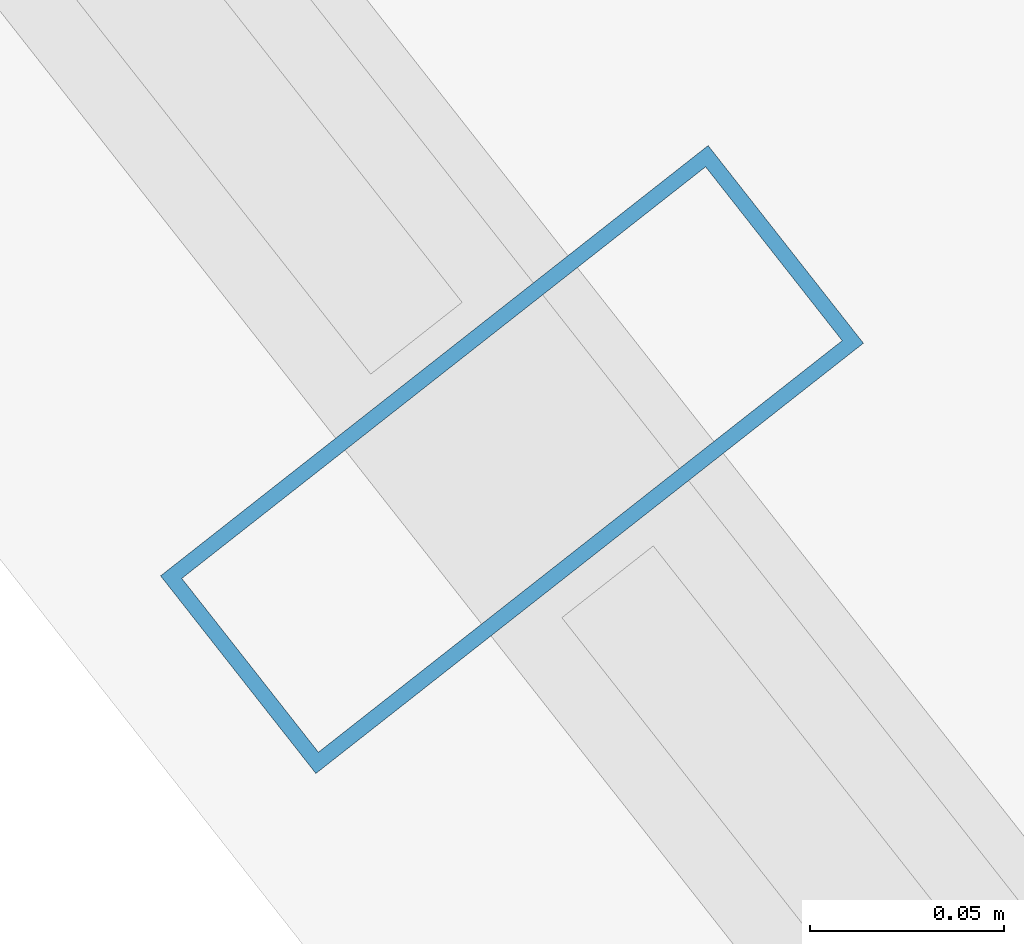
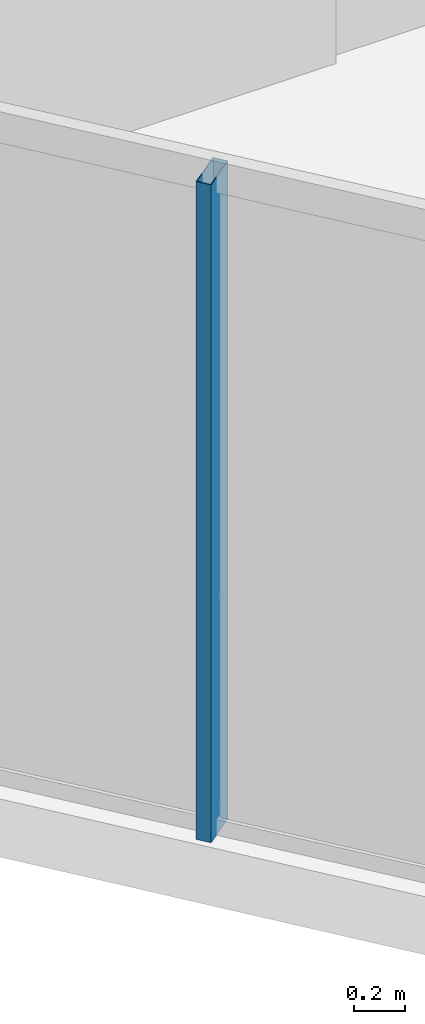
# One storey, part 2 of 29: 1 member, 1 element without a shape of its own.
"""IFC4 building model written with IfcOpenShell, lengths in metres."""

from ifc_helpers import new_model, si_unit, direction, frame, origin, origin_2d, place, context, subcontext, project, spatial, hollow_rectangle, extrude, material, layer, layer_set, material_profile, profile_set, type_object, element, aggregate, save


model = new_model("IFC4")

# Units and contexts
model_context = context("Model", 3, precision=1e-05, world=origin(), true_north=direction((0.0, 1.0)))
body_context = subcontext(model_context, "Body", "Model", "MODEL_VIEW")
ifc_project = project(units=[si_unit("LENGTHUNIT", "METRE"), si_unit("AREAUNIT", "SQUARE_METRE"), si_unit("VOLUMEUNIT", "CUBIC_METRE"), si_unit("PLANEANGLEUNIT", "RADIAN"), si_unit("MASSUNIT", "GRAM", prefix="KILO")], contexts=[model_context])

# Site, building, storey
site_placement = place(None, origin())
site = spatial("IfcSite", under=ifc_project, at=site_placement, CompositionType="ELEMENT")
building_placement = place(site_placement, origin())
building = spatial("IfcBuilding", under=site, at=building_placement, Name="Qarnah Convention Tower", CompositionType="ELEMENT")
storey_placement = place(building_placement, frame((0.0, 0.0, 97.050048828125)))
storey = spatial("IfcBuildingStorey", under=building, at=storey_placement, Name="L25", CompositionType="ELEMENT", Elevation=97.050048828125)

# Curtain wall, member
ifc_material_1 = material(Name="Tempered Low-E dark glass", Category="glass")
ifc_layer = layer(ifc_material_1, 0.169921875)
ifc_layer_set = layer_set([ifc_layer], Name="Tempered Low-E dark glass")
curtain_wall_type = type_object("IfcCurtainWallType", Name="CWS-02", PredefinedType="NOTDEFINED", material=ifc_layer_set)
curtain_wall_placement = place(storey_placement, origin())
curtain_wall = element("IfcCurtainWall", 1, at=curtain_wall_placement, inside=storey, type_object=curtain_wall_type, Name="L25 unitised curtain wall CW-L25-F3", PredefinedType="NOTDEFINED")
ifc_material_2 = material(Name="Black anodised aluminium", Category="aluminium")
ifc_material_profile = material_profile(ifc_material_2, hollow_rectangle(XDim=0.06494140625, YDim=0.179931640625, WallThickness=0.00390625, at=origin_2d()), Name="MUL-65X180")
ifc_profile_set = profile_set([ifc_material_profile], Name="Black anodised aluminium")
member_type = type_object("IfcMemberType", Name="MUL-T2", PredefinedType="MULLION", material=ifc_profile_set)
member_placement = place(storey_placement, frame((26.007080078125, 12.408447265625, 0.0), z_axis=(0.0, 0.0, 1.0), x_axis=(-0.617870701473, 0.786279718841, 0.0)))
member = element("IfcMember", 2, at=member_placement, type_object=member_type, Name="CW-L25-F3 mullion 3", PredefinedType="MULLION", context=body_context, shape_type="SweptSolid", body=[
    extrude(hollow_rectangle(XDim=0.06494140625, YDim=0.179931640625, WallThickness=0.00390625, at=origin_2d()), origin(), (0.0, 0.0, 1.0), 3.169921875),
])
aggregate(curtain_wall, [member])

save(model, "model.ifc")
